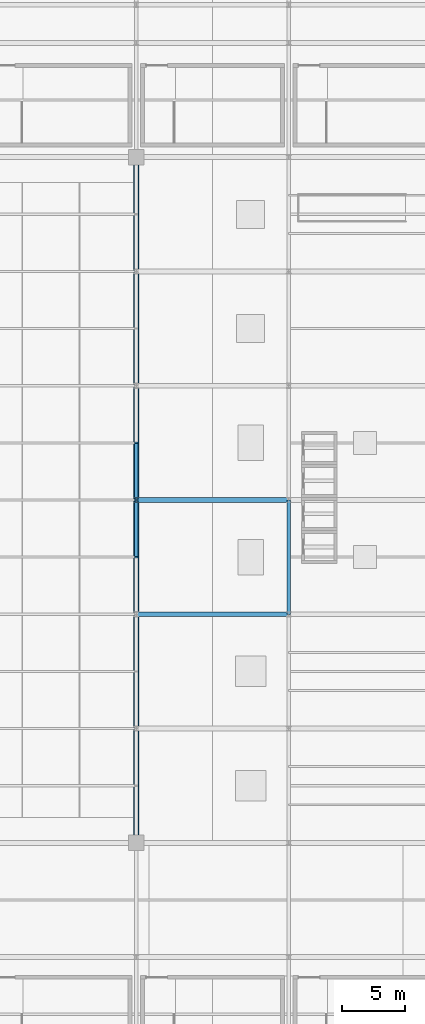
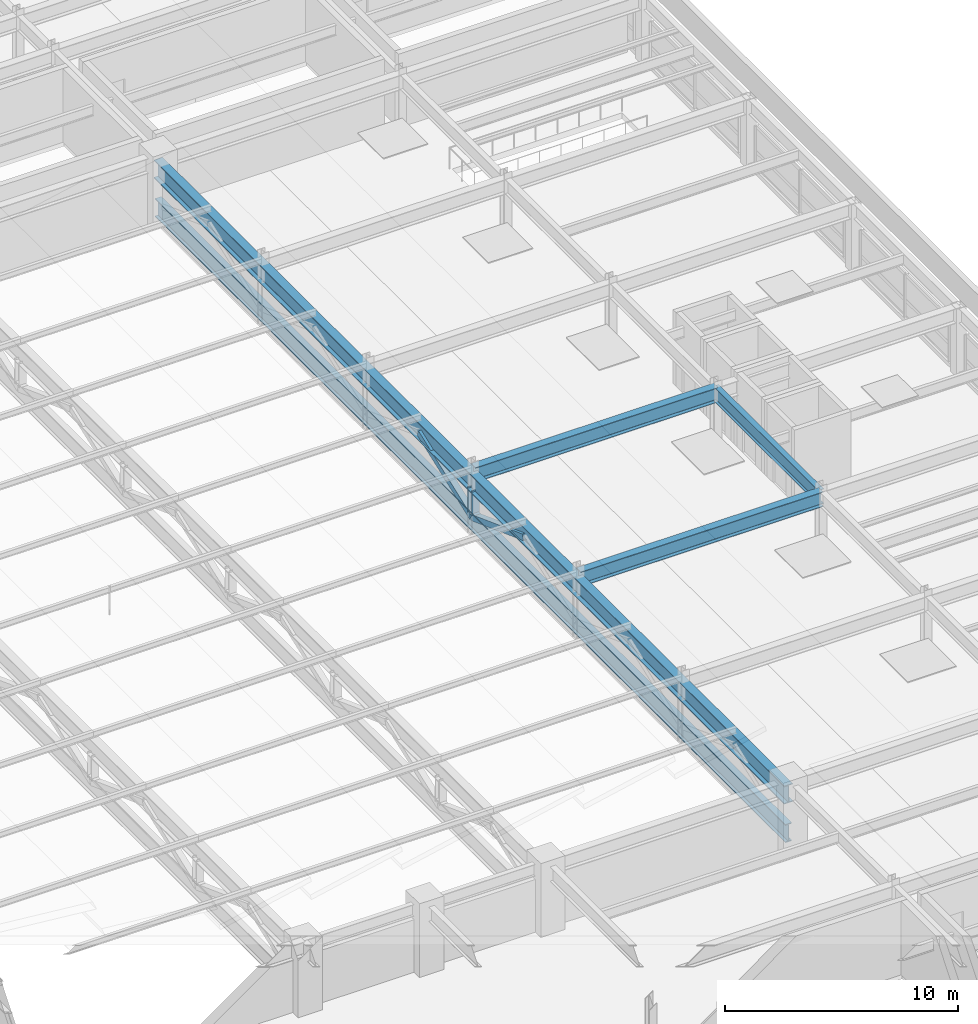
# One storey, part 40 of 108: 4 beams, 4 members.
"""IFC4 building model written with IfcOpenShell, lengths in metres."""

import ifcopenshell
import ifcopenshell.guid

model = None  # the IFC model being written
_history = None  # IfcOwnerHistory: only IFC2X3 demands one
_inside = {}  # id of a spatial element -> (the spatial element, [elements in it])
_under = {}  # id of a project, library or spatial element -> (it, [spatial elements below it])
_declared = {}  # id of a project -> (the project, [libraries it declares])
_typed = {}  # id of a type object -> (the type object, [elements of that type])
_made_of = {}  # id of a material, layer set ... -> (it, [elements and type objects made of it])


def new_model(schema):
    """Start an empty IFC model of exactly this schema.

    Asked for "IFC4X3", IfcOpenShell would pick the latest addendum, in which some entities
    have other attributes; the version numbers below select the first issue.
    IFC2X3 requires an IfcOwnerHistory on every rooted entity: one is made here for all.
    """
    global model, _history
    if schema == "IFC4X3":
        model = ifcopenshell.file(schema_version=(4, 3, 0, 0))
    else:
        model = ifcopenshell.file(schema=schema)
    _inside.clear()
    _under.clear()
    _declared.clear()
    _typed.clear()
    _made_of.clear()
    _history = None
    if model.schema == "IFC2X3":
        org = make("IfcOrganization", Name="unknown")
        user = make(
            "IfcPersonAndOrganization",
            ThePerson=make("IfcPerson", FamilyName="unknown"),
            TheOrganization=org,
        )
        app = make(
            "IfcApplication",
            ApplicationDeveloper=org,
            Version="unknown",
            ApplicationFullName="unknown",
            ApplicationIdentifier="unknown",
        )
        _history = make(
            "IfcOwnerHistory",
            OwningUser=user,
            OwningApplication=app,
            ChangeAction="ADDED",
            CreationDate=0,
        )
    return model


def make(cls, **values):
    """One entity of the class cls with the attributes given. An attribute that is None is left unset."""
    return model.create_entity(
        cls, **{name: value for name, value in values.items() if value is not None}
    )


def rooted(cls, **values):
    """An entity with a GlobalId (a new one), such as an element, a storey or a relation."""
    return make(cls, GlobalId=ifcopenshell.guid.new(), OwnerHistory=_history, **values)


def si_unit(unit_type, name, prefix=None):
    """IfcSIUnit, for example si_unit("LENGTHUNIT", "METRE", prefix="MILLI")."""
    return make("IfcSIUnit", UnitType=unit_type, Prefix=prefix, Name=name)


def assignment(units):
    """IfcUnitAssignment: the units of a project."""
    return None if units is None else make("IfcUnitAssignment", Units=units)


def point(xyz):
    """IfcCartesianPoint."""
    return None if xyz is None else make("IfcCartesianPoint", Coordinates=xyz)


def direction(xyz):
    """IfcDirection."""
    return None if xyz is None else make("IfcDirection", DirectionRatios=xyz)


def frame(location, z_axis=None, x_axis=None):
    """IfcAxis2Placement3D, a coordinate frame: its origin and axes. An axis left out is left unset."""
    return make(
        "IfcAxis2Placement3D",
        Location=point(location),
        Axis=direction(z_axis),
        RefDirection=direction(x_axis),
    )


def frame_2d(location, x_axis=None):
    """IfcAxis2Placement2D, a coordinate frame in the plane: its origin and x axis."""
    return make(
        "IfcAxis2Placement2D", Location=point(location), RefDirection=direction(x_axis)
    )


def origin():
    """The frame at (0, 0, 0) with its axes left unset."""
    return frame((0.0, 0.0, 0.0))


def origin_2d():
    """The frame at (0, 0) in the plane with its x axis left unset."""
    return frame_2d((0.0, 0.0))


def place(relative_to, where):
    """IfcLocalPlacement: puts the frame where relative to a parent placement (None: the world)."""
    return make(
        "IfcLocalPlacement", PlacementRelTo=relative_to, RelativePlacement=where
    )


def context(
    kind, dimensions, precision=None, world=None, true_north=None, identifier=None
):
    """IfcGeometricRepresentationContext, for example the 3D "Model" context."""
    return make(
        "IfcGeometricRepresentationContext",
        ContextIdentifier=identifier,
        ContextType=kind,
        CoordinateSpaceDimension=dimensions,
        Precision=precision,
        WorldCoordinateSystem=world,
        TrueNorth=true_north,
    )


def subcontext(parent, identifier, kind, view, scale=None):
    """IfcGeometricRepresentationSubContext, for example "Body" below "Model"."""
    return make(
        "IfcGeometricRepresentationSubContext",
        ContextIdentifier=identifier,
        ContextType=kind,
        ParentContext=parent,
        TargetScale=scale,
        TargetView=view,
    )


def project(units=None, contexts=None):
    """IfcProject with its units and contexts."""
    return rooted(
        "IfcProject",
        Name="project",
        RepresentationContexts=contexts,
        UnitsInContext=assignment(units),
    )


def spatial(cls, under=None, at=None, **own):
    """A site, building, storey or space (cls), placed at a placement, below another one or the project."""
    s = rooted(cls, ObjectPlacement=at, **own)
    if under is not None:
        _under.setdefault(under.id(), (under, []))[1].append(s)
    return s


def profile(cls, at=None, kind="AREA", **sizes):
    """A parametric profile (cls). Its sizes go by their IFC names, for example OverallWidth=200.0."""
    return make(cls, ProfileType=kind, Position=at, **sizes)


def hollow_rectangle(**sizes):
    """IfcRectangleHollowProfileDef."""
    return profile("IfcRectangleHollowProfileDef", **sizes)


def i_section(**sizes):
    """IfcIShapeProfileDef."""
    return profile("IfcIShapeProfileDef", **sizes)


def extrude(swept, where, along, depth):
    """IfcExtrudedAreaSolid: the profile swept, set in the frame where, extruded along a direction by depth."""
    return make(
        "IfcExtrudedAreaSolid",
        SweptArea=swept,
        Position=where,
        ExtrudedDirection=direction(along),
        Depth=depth,
    )


def shape(context_of_items, identifier, shape_type, items):
    """IfcShapeRepresentation: the items that make up one representation, for example the "Body"."""
    return make(
        "IfcShapeRepresentation",
        ContextOfItems=context_of_items,
        RepresentationIdentifier=identifier,
        RepresentationType=shape_type,
        Items=items,
    )


def material(Name=None, Category=None):
    """IfcMaterial."""
    return make("IfcMaterial", Name=Name, Category=Category)


def material_profile(
    of_material, cross_section, Name=None, Category=None, Priority=None
):
    """IfcMaterialProfile: a cross section and its material."""
    return make(
        "IfcMaterialProfile",
        Name=Name,
        Material=of_material,
        Profile=cross_section,
        Priority=Priority,
        Category=Category,
    )


def profile_set(profiles, Name=None, composite=None):
    """IfcMaterialProfileSet."""
    return make(
        "IfcMaterialProfileSet",
        Name=Name,
        MaterialProfiles=profiles,
        CompositeProfile=composite,
    )


def made_of(thing, what):
    """Note that an element or type object is made of a material, layer set ...; save() writes the relation."""
    if what is not None:
        _made_of.setdefault(what.id(), (what, []))[1].append(thing)
    return thing


def type_object(cls, material=None, **own):
    """A type object (cls), such as IfcWallType, which elements share."""
    return made_of(rooted(cls, **own), material)


def element(
    cls,
    number,
    at=None,
    inside=None,
    cuts=None,
    type_object=None,
    material=None,
    context=None,
    identifier="Body",
    shape_type=None,
    held_by="IfcProductDefinitionShape",
    body=None,
    shapes=None,
    **own,
):
    """One element of the class cls, such as IfcWall. Its Tag is "e" and its number.

    at: its placement. inside: the storey or other place that contains it. cuts: it is an
    opening in that element (IfcRelVoidsElement). A single representation is given by context,
    identifier, shape_type and body (its items); several are given by shapes. held_by: the class
    of the entity that holds the representations. save() writes the other relations.
    """
    e = rooted(cls, Tag="e%d" % number, ObjectPlacement=at, **own)
    if body is not None:
        shapes = [shape(context, identifier, shape_type, body)]
    if shapes is not None:
        e.Representation = make(held_by, Representations=shapes)
    if inside is not None:
        _inside.setdefault(inside.id(), (inside, []))[1].append(e)
    if cuts is not None:
        rooted(
            "IfcRelVoidsElement", RelatingBuildingElement=cuts, RelatedOpeningElement=e
        )
    if type_object is not None:
        _typed.setdefault(type_object.id(), (type_object, []))[1].append(e)
    return made_of(e, material)


def aggregate(whole, parts):
    """IfcRelAggregates: a whole, such as a stair, and the parts it consists of."""
    return rooted("IfcRelAggregates", RelatingObject=whole, RelatedObjects=parts)


def save(model, path):
    """Write the relations noted so far, then the file.

    IfcRelAggregates (storeys below a building ...), IfcRelContainedInSpatialStructure (elements
    in a storey), IfcRelDefinesByType, IfcRelAssociatesMaterial and IfcRelDeclares: one each for
    every whole, place, type object, material and project.
    """
    for whole, parts in _under.values():
        aggregate(whole, parts)
    for where, things in _inside.values():
        rooted(
            "IfcRelContainedInSpatialStructure",
            RelatedElements=things,
            RelatingStructure=where,
        )
    for kind, things in _typed.values():
        rooted("IfcRelDefinesByType", RelatedObjects=things, RelatingType=kind)
    for what, things in _made_of.values():
        rooted("IfcRelAssociatesMaterial", RelatedObjects=things, RelatingMaterial=what)
    for by, libraries in _declared.values():
        rooted("IfcRelDeclares", RelatingContext=by, RelatedDefinitions=libraries)
    model.write(path)


model = new_model("IFC4")

# Units and contexts
model_context = context("Model", 3, precision=1e-05, world=origin(), true_north=direction((0.0, 1.0)))
body_context = subcontext(model_context, "Body", "Model", "MODEL_VIEW")
ifc_project = project(units=[si_unit("LENGTHUNIT", "METRE"), si_unit("AREAUNIT", "SQUARE_METRE"), si_unit("VOLUMEUNIT", "CUBIC_METRE"), si_unit("PLANEANGLEUNIT", "RADIAN"), si_unit("MASSUNIT", "GRAM", prefix="KILO")], contexts=[model_context])

# Site, building, storey
site_placement = place(None, origin())
site = spatial("IfcSite", under=ifc_project, at=site_placement, CompositionType="ELEMENT")
building_placement = place(site_placement, origin())
building = spatial("IfcBuilding", under=site, at=building_placement, Name="Kaldorvane Square Convention Centre", CompositionType="ELEMENT")
storey_placement = place(building_placement, frame((0.0, 0.0, 23.399993896484375)))
storey = spatial("IfcBuildingStorey", under=building, at=storey_placement, Name="L04", CompositionType="ELEMENT", Elevation=23.399993896484375)

# Beams
ifc_material_1 = material(Name="Steel ASTM A992 Gr. 50", Category="steel")
ifc_material_profile_1 = material_profile(ifc_material_1, i_section(OverallWidth=0.2666015625, OverallDepth=0.762298583984375, WebThickness=0.014404296875, FlangeThickness=0.0216064453125, FilletRadius=0.0164947509765625, at=origin_2d()), Name="W30X116")
ifc_profile_set_1 = profile_set([ifc_material_profile_1], Name="Steel ASTM A992 Gr. 50")
beam_type_1 = type_object("IfcBeamType", Name="BM-GR-W30X116", PredefinedType="BEAM", material=ifc_profile_set_1)
beam_1_placement = place(storey_placement, frame((126.0, 36.0, 3.144805908203125), z_axis=(0.0, 1.0, 0.0), x_axis=(-1.0, 0.0, 0.0)))
element("IfcBeam", 1, at=beam_1_placement, inside=storey, type_object=beam_type_1, Name="Transverse Girder (L04)", PredefinedType="BEAM", context=body_context, shape_type="SweptSolid", body=[
    extrude(i_section(OverallWidth=0.2666015625, OverallDepth=0.762298583984375, WebThickness=0.014404296875, FlangeThickness=0.0216064453125, FilletRadius=0.0164947509765625, at=origin_2d()), origin(), (0.0, 0.0, 1.0), 9.0),
])
ifc_material_profile_2 = material_profile(ifc_material_1, i_section(OverallWidth=0.380706787109375, OverallDepth=0.773193359375, WebThickness=0.0166015625, FlangeThickness=0.027099609375, FilletRadius=0.0164947509765625, at=origin_2d()), Name="W30X173")
ifc_profile_set_2 = profile_set([ifc_material_profile_2], Name="Steel ASTM A992 Gr. 50")
beam_type_2 = type_object("IfcBeamType", Name="BM-GR-W30X173", PredefinedType="BEAM", material=ifc_profile_set_2)
for number, where, z_axis, x_axis, name in (
    (2, (114.0, 36.0, 3.139404296875), (1.0, 0.0, 0.0), (0.0, 1.0, 0.0), "Primary Girder (L04)"),
    (3, (114.0, 45.0, 3.139404296875), (1.0, 0.0, 0.0), (0.0, 1.0, 0.0), "Primary Girder (L04)"),
):
    element("IfcBeam", number, at=place(storey_placement, frame(where, z_axis=z_axis, x_axis=x_axis)), inside=storey, type_object=beam_type_2, Name=name, PredefinedType="BEAM", context=body_context, shape_type="SweptSolid", body=[
        extrude(i_section(OverallWidth=0.380706787109375, OverallDepth=0.773193359375, WebThickness=0.0166015625, FlangeThickness=0.027099609375, FilletRadius=0.0164947509765625, at=origin_2d()), origin(), (0.0, 0.0, 1.0), 12.0),
    ])
ifc_material_profile_3 = material_profile(ifc_material_1, i_section(OverallWidth=0.423004150390625, OverallDepth=0.9481964111328125, WebThickness=0.0240020751953125, FlangeThickness=0.042694091796875, FilletRadius=0.0240936279296875, at=origin_2d()), Name="W36X302")
ifc_profile_set_3 = profile_set([ifc_material_profile_3], Name="Steel ASTM A992 Gr. 50")
beam_type_3 = type_object("IfcBeamType", Name="BM-GR-W36X302", PredefinedType="BEAM", material=ifc_profile_set_3)
beam_2_placement = place(storey_placement, frame((114.0, 18.0, 2.7335052490234375), z_axis=(0.0, 1.0, 0.0), x_axis=(-1.0, 0.0, 0.0)))
element("IfcBeam", 4, at=beam_2_placement, inside=storey, type_object=beam_type_3, Name="Hall Roof Truss RT-08 Top Chord", PredefinedType="BEAM", context=body_context, shape_type="SweptSolid", body=[
    extrude(i_section(OverallWidth=0.423004150390625, OverallDepth=0.9481964111328125, WebThickness=0.0240020751953125, FlangeThickness=0.042694091796875, FilletRadius=0.0240936279296875, at=origin_2d()), origin(), (0.0, 0.0, 1.0), 54.0),
])

# Members
ifc_material_2 = material(Name="Steel ASTM A500 Gr. C", Category="steel")
ifc_material_profile_4 = material_profile(ifc_material_2, hollow_rectangle(XDim=0.3047943115234375, YDim=0.3047943115234375, WallThickness=0.0117950439453125, at=origin_2d()), Name="HSS12X12X1/2")
ifc_profile_set_4 = profile_set([ifc_material_profile_4], Name="Steel ASTM A500 Gr. C")
member_type_1 = type_object("IfcMemberType", Name="MB-BR-HSS12", PredefinedType="BRACE", material=ifc_profile_set_4)
for number, where, z_axis, x_axis, name in (
    (5, (114.0, 40.5, 2.5535125732421875), (0.0, 0.937283847769, -0.348567050524), (-1.0, 0.0, 0.0), "Hall Roof Truss RT-08 Web 3B"),
    (6, (114.0, 45.0, 0.8800048828125), (0.0, 0.937283847769, 0.348567050524), (-1.0, 0.0, 0.0), "Hall Roof Truss RT-08 Web 4A"),
):
    element("IfcMember", number, at=place(storey_placement, frame(where, z_axis=z_axis, x_axis=x_axis)), inside=storey, type_object=member_type_1, Name=name, PredefinedType="BRACE", context=body_context, shape_type="SweptSolid", body=[
        extrude(hollow_rectangle(XDim=0.3047943115234375, YDim=0.3047943115234375, WallThickness=0.0117950439453125, at=origin_2d()), origin(), (0.0, 0.0, 1.0), 4.8011016845703125),
    ])
ifc_material_profile_5 = material_profile(ifc_material_1, i_section(OverallWidth=0.310302734375, OverallDepth=0.9506988525390625, WebThickness=0.0243988037109375, FlangeThickness=0.0438995361328125, FilletRadius=0.0240936279296875, at=origin_2d()), Name="W36X256")
ifc_profile_set_5 = profile_set([ifc_material_profile_5], Name="Steel ASTM A992 Gr. 50")
member_type_2 = type_object("IfcMemberType", Name="MB-CH-W36X256", PredefinedType="CHORD", material=ifc_profile_set_5)
member_1_placement = place(storey_placement, frame((114.0, 18.0, 0.70001220703125), z_axis=(0.0, 1.0, 0.0), x_axis=(-1.0, 0.0, 0.0)))
element("IfcMember", 7, at=member_1_placement, inside=storey, type_object=member_type_2, Name="Hall Roof Truss RT-08 Bottom Chord", PredefinedType="CHORD", context=body_context, shape_type="SweptSolid", body=[
    extrude(i_section(OverallWidth=0.310302734375, OverallDepth=0.9506988525390625, WebThickness=0.0243988037109375, FlangeThickness=0.0438995361328125, FilletRadius=0.0240936279296875, at=origin_2d()), origin(), (0.0, 0.0, 1.0), 54.0),
])
ifc_material_profile_6 = material_profile(ifc_material_1, i_section(OverallWidth=0.373992919921875, OverallDepth=0.372406005859375, WebThickness=0.0164031982421875, FlangeThickness=0.0261993408203125, FilletRadius=0.0305023193359375, at=origin_2d()), Name="W14X132")
ifc_profile_set_6 = profile_set([ifc_material_profile_6], Name="Steel ASTM A992 Gr. 50")
member_type_3 = type_object("IfcMemberType", Name="MB-PS-W14X132", PredefinedType="POST", material=ifc_profile_set_6)
member_2_placement = place(storey_placement, frame((114.0, 45.0, 1.0500030517578125), z_axis=(0.0, 0.0, 1.0), x_axis=(1.0, 0.0, 0.0)))
element("IfcMember", 8, at=member_2_placement, inside=storey, type_object=member_type_3, Name="Hall Roof Truss RT-08 Post 3", PredefinedType="POST", context=body_context, shape_type="SweptSolid", body=[
    extrude(i_section(OverallWidth=0.373992919921875, OverallDepth=0.372406005859375, WebThickness=0.0164031982421875, FlangeThickness=0.0261993408203125, FilletRadius=0.0305023193359375, at=origin_2d()), origin(), (0.0, 0.0, 1.0), 1.33349609375),
])

save(model, "model.ifc")
